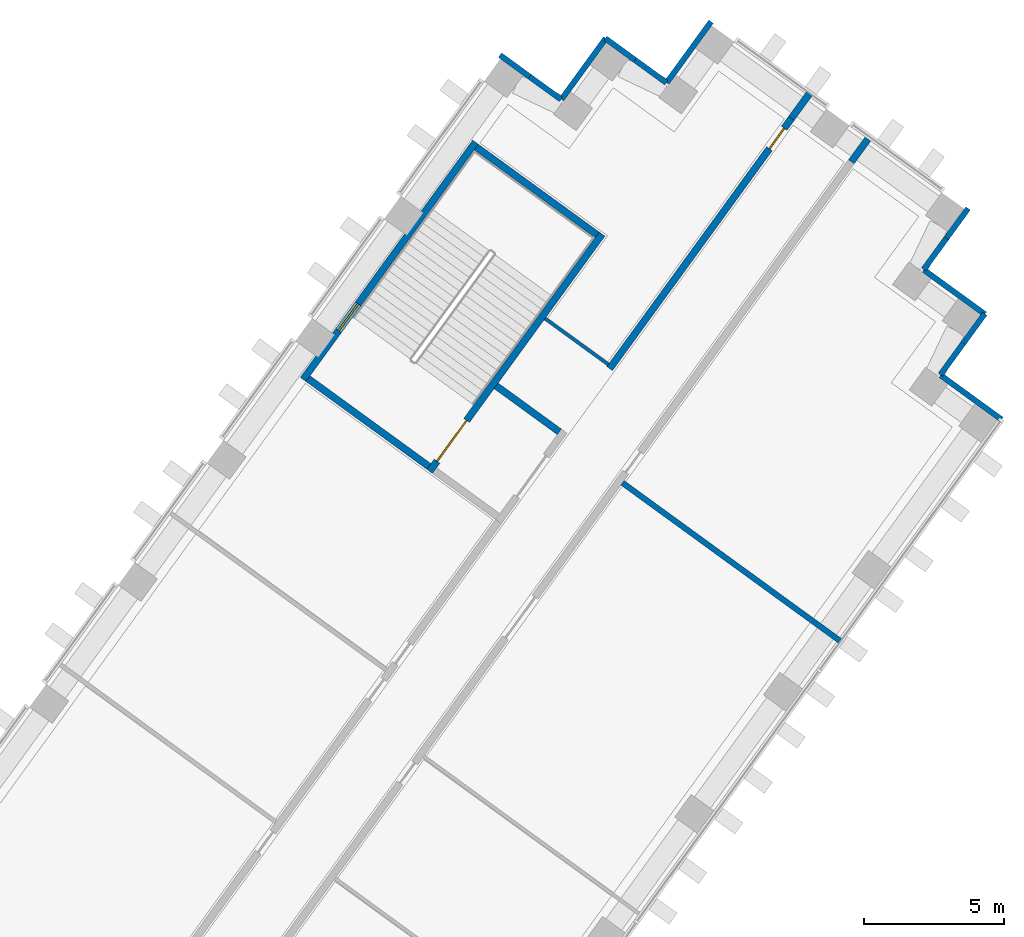
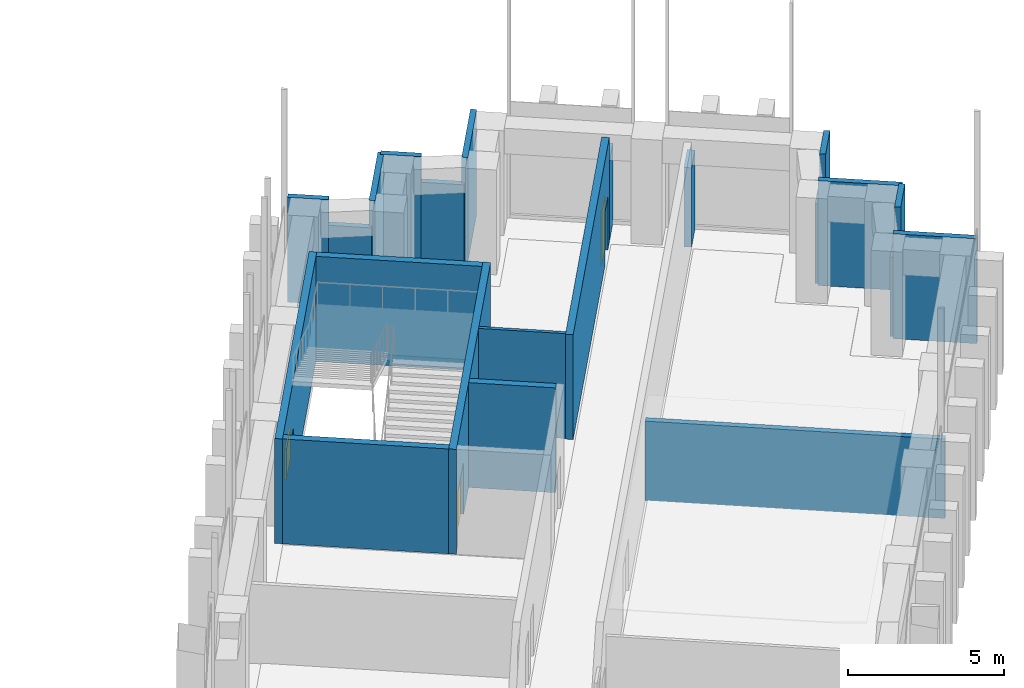
# One storey, part 14 of 18: 22 walls, 2 doors, 1 window, 3 openings.
"""IFC4 building model written with IfcOpenShell, lengths in metres."""

from ifc_helpers import new_model, si_unit, direction, frame, frame_2d, origin, place, context, subcontext, project, spatial, rectangle, extrude, material, layer, layer_set, type_object, element, fill, save


model = new_model("IFC4")

# Units and contexts
model_context = context("Model", 3, precision=1e-05, world=origin(), true_north=direction((0.0, 1.0)))
body_context = subcontext(model_context, "Body", "Model", "MODEL_VIEW")
ifc_project = project(units=[si_unit("LENGTHUNIT", "METRE"), si_unit("AREAUNIT", "SQUARE_METRE"), si_unit("VOLUMEUNIT", "CUBIC_METRE"), si_unit("PLANEANGLEUNIT", "RADIAN"), si_unit("MASSUNIT", "GRAM", prefix="KILO")], contexts=[model_context])

# Site, building, storey
site_placement = place(None, origin())
site = spatial("IfcSite", under=ifc_project, at=site_placement, CompositionType="ELEMENT")
building_placement = place(site_placement, origin())
building = spatial("IfcBuilding", under=site, at=building_placement, Name="Quipu Civic Tower", CompositionType="ELEMENT")
storey_placement = place(building_placement, frame((0.0, 0.0, 16.0)))
storey = spatial("IfcBuildingStorey", under=building, at=storey_placement, Name="L03", CompositionType="ELEMENT", Elevation=16.0)

# Walls
ifc_material_1 = material(Name="Fired clay blockwork", Category="masonry")
ifc_layer_1 = layer(ifc_material_1, 0.199951171875)
ifc_layer_set_1 = layer_set([ifc_layer_1], Name="Fired clay blockwork")
wall_type_1 = type_object("IfcWallType", Name="Blockwork wall 200", PredefinedType="SOLIDWALL", material=ifc_layer_set_1)
wall_1_placement = place(storey_placement, frame((49.47998046875, 21.689697265625, 0.0), z_axis=(0.0, 0.0, 1.0), x_axis=(-0.808999631097, 0.587809150052, 0.0)))
element("IfcWall", 1, at=wall_1_placement, inside=storey, type_object=wall_type_1, Name="Partition P06", PredefinedType="SOLIDWALL", context=body_context, shape_type="SweptSolid", body=[
    extrude(rectangle(XDim=9.6513671875, YDim=0.199951171875, at=frame_2d((4.82568359375, 0.0))), origin(), (0.0, 0.0, 1.0), 3.10009765625),
])
ifc_material_2 = material(Name="Concrete C70/85", Category="concrete")
ifc_layer_2 = layer(ifc_material_2, 0.25)
ifc_layer_set_2 = layer_set([ifc_layer_2], Name="Concrete C70/85")
wall_type_2 = type_object("IfcWallType", Name="Core wall 250", PredefinedType="SHEAR", material=ifc_layer_set_2)
wall_2_placement = place(storey_placement, frame((39.4140625, 29.18798828125, 0.0), z_axis=(0.0, 0.0, 1.0), x_axis=(-0.808969789945, 0.58785021813, 0.0)))
element("IfcWall", 2, at=wall_2_placement, inside=storey, type_object=wall_type_2, Name="Core wall", PredefinedType="SHEAR", context=body_context, shape_type="SweptSolid", body=[
    extrude(rectangle(XDim=2.800048828125, YDim=0.25, at=frame_2d((1.39990234375, 0.0))), origin(), (0.0, 0.0, 1.0), 4.10009765625),
])

# Wall, opening, door
wall_3_placement = place(storey_placement, frame((34.77001953125, 27.7724609375, 0.0), z_axis=(0.0, 0.0, 1.0), x_axis=(0.587795589702, 0.809009483706, 0.0)))
wall_3 = element("IfcWall", 3, at=wall_3_placement, inside=storey, type_object=wall_type_2, Name="Core wall", PredefinedType="SHEAR", context=body_context, shape_type="SweptSolid", body=[
    extrude(rectangle(XDim=10.5, YDim=0.25, at=frame_2d((5.25, 0.0))), origin(), (0.0, 0.0, 1.0), 4.10009765625),
])
opening_1_placement = place(wall_3_placement, frame((0.449951171875, 0.0, 0.0)))
opening_1 = element("IfcOpeningElement", 4, at=opening_1_placement, cuts=wall_3, Name="Opening CD-23", PredefinedType="OPENING", context=body_context, shape_type="SweptSolid", body=[
    extrude(rectangle(XDim=1.800048828125, YDim=2.10009765625, at=frame_2d((0.89990234375, 1.050048828125))), frame((0.0, 0.135009765625, 0.0), z_axis=(0.0, -1.0, 0.0), x_axis=(1.0, 0.0, 0.0)), (0.0, 0.0, 1.0), 0.27001953125),
])
ifc_material_3 = material(Name="Fire rated steel door", Category="steel")
door_type_1 = type_object("IfcDoorType", Name="Fire door FD90 double 1800 x 2100", OperationType="NOTDEFINED", PredefinedType="DOOR", material=ifc_material_3)
door_1_placement = place(opening_1_placement, origin())
door_1 = element("IfcDoor", 5, at=door_1_placement, inside=storey, type_object=door_type_1, Name="Door", OperationType="DOUBLE_DOOR_SINGLE_SWING", OverallHeight=2.10009765625, OverallWidth=1.800048828125, PredefinedType="DOOR", context=body_context, shape_type="SweptSolid", body=[
    extrude(rectangle(XDim=1.800048828125, YDim=2.10009765625, at=frame_2d((0.89990234375, 1.050048828125))), frame((0.0, 0.02490234375, 0.0), z_axis=(0.0, -1.0, 0.0), x_axis=(1.0, 0.0, 0.0)), (0.0, 0.0, 1.0), 0.050048828125),
])
fill(opening_1, door_1)

# Walls
wall_4_placement = place(storey_placement, frame((34.742431640625, 27.947021484375, 0.0), z_axis=(0.0, 0.0, 1.0), x_axis=(-0.8089984606, 0.587810760999, 0.0)))
element("IfcWall", 6, at=wall_4_placement, inside=storey, type_object=wall_type_2, Name="Core wall", PredefinedType="SHEAR", context=body_context, shape_type="SweptSolid", body=[
    extrude(rectangle(XDim=5.35009765625, YDim=0.25, at=frame_2d((2.675048828125, 0.0))), origin(), (0.0, 0.0, 1.0), 4.10009765625),
])
wall_5_placement = place(storey_placement, frame((40.76708984375, 36.239501953125, 0.0), z_axis=(0.0, 0.0, 1.0), x_axis=(-0.809020161303, 0.587780893365, 0.0)))
element("IfcWall", 7, at=wall_5_placement, inside=storey, type_object=wall_type_2, Name="Core wall", PredefinedType="SHEAR", context=body_context, shape_type="SweptSolid", body=[
    extrude(rectangle(XDim=5.349853515625, YDim=0.25, at=frame_2d((2.6748046875, 0.0))), origin(), (0.0, 0.0, 1.0), 4.10009765625),
])

# Wall, opening, window
wall_6_placement = place(storey_placement, frame((30.239501953125, 31.06396484375, 0.0), z_axis=(0.0, 0.0, 1.0), x_axis=(0.587795589702, 0.809009483706, 0.0)))
wall_6 = element("IfcWall", 8, at=wall_6_placement, inside=storey, type_object=wall_type_2, Name="Core wall", PredefinedType="SHEAR", context=body_context, shape_type="SweptSolid", body=[
    extrude(rectangle(XDim=10.5, YDim=0.25, at=frame_2d((5.25, 0.0))), origin(), (0.0, 0.0, 1.0), 4.10009765625),
])
opening_2_placement = place(wall_6_placement, frame((2.14990234375, 0.0, 1.0)))
opening_2 = element("IfcOpeningElement", 9, at=opening_2_placement, cuts=wall_6, Name="Opening SV-7", PredefinedType="OPENING", context=body_context, shape_type="SweptSolid", body=[
    extrude(rectangle(XDim=1.199951171875, YDim=1.199951171875, at=frame_2d((0.60009765625, 0.60009765625))), frame((0.0, 0.135009765625, 0.0), z_axis=(0.0, -1.0, 0.0), x_axis=(1.0, 0.0, 0.0)), (0.0, 0.0, 1.0), 0.27001953125),
])
ifc_material_4 = material(Name="Aluminium louvre", Category="aluminium")
window_type = type_object("IfcWindowType", Name="Stair ventilation louvre 1200 x 1200", PartitioningType="SINGLE_PANEL", PredefinedType="WINDOW", material=ifc_material_4)
window_placement = place(opening_2_placement, origin())
window = element("IfcWindow", 10, at=window_placement, inside=storey, type_object=window_type, Name="Stair ventilation opening", OverallHeight=1.199951171875, OverallWidth=1.199951171875, PartitioningType="SINGLE_PANEL", PredefinedType="WINDOW", context=body_context, shape_type="SweptSolid", body=[
    extrude(rectangle(XDim=1.199951171875, YDim=1.199951171875, at=frame_2d((0.60009765625, 0.60009765625))), frame((0.0, 0.030029296875, 0.0), z_axis=(0.0, -1.0, 0.0), x_axis=(1.0, 0.0, 0.0)), (0.0, 0.0, 1.0), 0.06005859375),
])
fill(opening_2, window)

# Wall, opening, door
ifc_material_5 = material(Name="Concrete C50/60", Category="concrete")
ifc_layer_3 = layer(ifc_material_5, 0.25)
ifc_layer_set_3 = layer_set([ifc_layer_3], Name="Concrete C50/60")
wall_type_3 = type_object("IfcWallType", Name="Corridor wall 250 concrete", PredefinedType="SOLIDWALL", material=ifc_layer_set_3)
wall_7_placement = place(storey_placement, frame((41.213134765625, 31.451416015625, 0.0), z_axis=(0.0, 0.0, 1.0), x_axis=(0.587773291021, 0.809025684612, 0.0)))
wall_7 = element("IfcWall", 11, at=wall_7_placement, inside=storey, type_object=wall_type_3, Name="Corridor wall C07", PredefinedType="SOLIDWALL", context=body_context, shape_type="SweptSolid", body=[
    extrude(rectangle(XDim=11.07861328125, YDim=0.25, at=frame_2d((5.539306640625, 0.0))), origin(), (0.0, 0.0, 1.0), 4.10009765625),
])
opening_3_placement = place(wall_7_placement, frame((9.736083984375, 0.0, 0.0)))
opening_3 = element("IfcOpeningElement", 12, at=opening_3_placement, cuts=wall_7, Name="Opening D004", PredefinedType="OPENING", context=body_context, shape_type="SweptSolid", body=[
    extrude(rectangle(XDim=0.89990234375, YDim=2.10009765625, at=frame_2d((0.449951171875, 1.050048828125))), frame((0.0, 0.135009765625, 0.0), z_axis=(0.0, -1.0, 0.0), x_axis=(1.0, 0.0, 0.0)), (0.0, 0.0, 1.0), 0.27001953125),
])
ifc_material_6 = material(Name="Fire rated timber door set with metal frame", Category="wood")
door_type_2 = type_object("IfcDoorType", Name="Single door 900 x 2100 FD60", OperationType="NOTDEFINED", PredefinedType="DOOR", material=ifc_material_6)
door_2_placement = place(opening_3_placement, origin())
door_2 = element("IfcDoor", 13, at=door_2_placement, inside=storey, type_object=door_type_2, Name="Door D004", OperationType="SINGLE_SWING_RIGHT", OverallHeight=2.10009765625, OverallWidth=0.89990234375, PredefinedType="DOOR", context=body_context, shape_type="SweptSolid", body=[
    extrude(rectangle(XDim=0.89990234375, YDim=2.10009765625, at=frame_2d((0.449951171875, 1.050048828125))), frame((0.0, 0.02490234375, 0.0), z_axis=(0.0, -1.0, 0.0), x_axis=(1.0, 0.0, 0.0)), (0.0, 0.0, 1.0), 0.050048828125),
])
fill(opening_3, door_2)

# Walls
wall_8_placement = place(storey_placement, frame((49.86865234375, 38.8564453125, 0.0), z_axis=(0.0, 0.0, 1.0), x_axis=(0.587725246084, 0.809060588037, 0.0)))
element("IfcWall", 14, at=wall_8_placement, inside=storey, type_object=wall_type_3, Name="Corridor wall C01", PredefinedType="SOLIDWALL", context=body_context, shape_type="SweptSolid", body=[
    extrude(rectangle(XDim=1.008056640625, YDim=0.25, at=frame_2d((0.50390625, 0.0))), origin(), (0.0, 0.0, 1.0), 3.10009765625),
])
wall_9_placement = place(storey_placement, frame((47.724853515625, 40.414306640625, 0.0), z_axis=(0.0, 0.0, 1.0), x_axis=(0.587883639643, 0.808945502639, 0.0)))
element("IfcWall", 15, at=wall_9_placement, inside=storey, type_object=wall_type_3, Name="Corridor wall C07", PredefinedType="SOLIDWALL", context=body_context, shape_type="SweptSolid", body=[
    extrude(rectangle(XDim=1.10888671875, YDim=0.25, at=frame_2d((0.554443359375, 0.0))), origin(), (0.0, 0.0, 1.0), 3.10009765625),
])
ifc_material_7 = material(Name="Gypsum plasterboard on light gauge framing")
ifc_layer_4 = layer(ifc_material_7, 0.1201171875)
ifc_layer_set_4 = layer_set([ifc_layer_4], Name="Gypsum plasterboard on light gauge framing")
wall_type_4 = type_object("IfcWallType", Name="Partition 120 plasterboard", PredefinedType="PARTITIONING", material=ifc_layer_set_4)
wall_10_placement = place(storey_placement, frame((38.89990234375, 33.2451171875, 0.0), z_axis=(0.0, 0.0, 1.0), x_axis=(0.809090262332, -0.587684394381, 0.0)))
element("IfcWall", 16, at=wall_10_placement, inside=storey, type_object=wall_type_4, Name="Partition P11", PredefinedType="PARTITIONING", context=body_context, shape_type="SweptSolid", body=[
    extrude(rectangle(XDim=2.80078125, YDim=0.1201171875, at=frame_2d((1.400390625, 0.0))), origin(), (0.0, 0.0, 1.0), 4.10009765625),
])
ifc_material_8 = material(Name="Precast concrete C40/50", Category="concrete")
wall_type_5 = type_object("IfcWallType", Name="Precast cladding wall", PredefinedType="SOLIDWALL", material=ifc_material_8)
wall_11_placement = place(storey_placement, frame((55.2470703125, 29.62890625, 0.0), z_axis=(0.0, 0.0, 1.0), x_axis=(-0.809033161865, 0.587762999008, 0.0)))
element("IfcWall", 17, at=wall_11_placement, inside=storey, type_object=wall_type_5, Name="Precast cladding wall L03 P34", PredefinedType="SOLIDWALL", context=body_context, shape_type="SweptSolid", body=[
    extrude(rectangle(XDim=2.699951171875, YDim=0.199951171875, at=frame_2d((1.35009765625, 0.0))), origin(), (0.0, 0.0, 1.0), 4.10009765625),
])
wall_12_placement = place(storey_placement, frame((53.06005859375, 31.232666015625, 0.0), z_axis=(0.0, 0.0, 1.0), x_axis=(0.587776137069, 0.809023616894, 0.0)))
element("IfcWall", 18, at=wall_12_placement, inside=storey, type_object=wall_type_5, Name="Precast cladding wall L03 P35", PredefinedType="SOLIDWALL", context=body_context, shape_type="SweptSolid", body=[
    extrude(rectangle(XDim=1.394775390625, YDim=0.199951171875, at=frame_2d((0.697265625, 0.0))), origin(), (0.0, 0.0, 1.0), 3.10009765625),
])
wall_13_placement = place(storey_placement, frame((53.8798828125, 32.361083984375, 0.0), z_axis=(0.0, 0.0, 1.0), x_axis=(0.587871379726, 0.808954412127, 0.0)))
element("IfcWall", 19, at=wall_13_placement, inside=storey, type_object=wall_type_5, Name="Precast cladding wall L03 P35 a", PredefinedType="SOLIDWALL", context=body_context, shape_type="SweptSolid", body=[
    extrude(rectangle(XDim=1.30517578125, YDim=0.199951171875, at=frame_2d((0.652587890625, 0.0))), origin(), (0.0, 0.0, 1.0), 4.10009765625),
])
wall_14_placement = place(storey_placement, frame((54.649658203125, 33.400390625, 0.0), z_axis=(0.0, 0.0, 1.0), x_axis=(-0.809033161865, 0.587762999008, 0.0)))
element("IfcWall", 20, at=wall_14_placement, inside=storey, type_object=wall_type_5, Name="Precast cladding wall L03 P36", PredefinedType="SOLIDWALL", context=body_context, shape_type="SweptSolid", body=[
    extrude(rectangle(XDim=2.699951171875, YDim=0.199951171875, at=frame_2d((1.35009765625, 0.0))), origin(), (0.0, 0.0, 1.0), 4.10009765625),
])
wall_15_placement = place(storey_placement, frame((52.462646484375, 35.004150390625, 0.0), z_axis=(0.0, 0.0, 1.0), x_axis=(0.587782252522, 0.809019173827, 0.0)))
element("IfcWall", 21, at=wall_15_placement, inside=storey, type_object=wall_type_5, Name="Precast cladding wall L03 P37", PredefinedType="SOLIDWALL", context=body_context, shape_type="SweptSolid", body=[
    extrude(rectangle(XDim=1.37939453125, YDim=0.199951171875, at=frame_2d((0.689697265625, 0.0))), origin(), (0.0, 0.0, 1.0), 3.10009765625),
])
wall_16_placement = place(storey_placement, frame((53.2734375, 36.1201171875, 0.0), z_axis=(0.0, 0.0, 1.0), x_axis=(0.58786388341, 0.808959859686, 0.0)))
element("IfcWall", 22, at=wall_16_placement, inside=storey, type_object=wall_type_5, Name="Precast cladding wall L03 P37 a", PredefinedType="SOLIDWALL", context=body_context, shape_type="SweptSolid", body=[
    extrude(rectangle(XDim=1.320556640625, YDim=0.199951171875, at=frame_2d((0.66015625, 0.0))), origin(), (0.0, 0.0, 1.0), 4.10009765625),
])
wall_17_placement = place(storey_placement, frame((44.846435546875, 43.875, 0.0), z_axis=(0.0, 0.0, 1.0), x_axis=(-0.587822180636, -0.808990163075, 0.0)))
element("IfcWall", 23, at=wall_17_placement, inside=storey, type_object=wall_type_5, Name="Precast cladding wall L03 P40", PredefinedType="SOLIDWALL", context=body_context, shape_type="SweptSolid", body=[
    extrude(rectangle(XDim=2.699951171875, YDim=0.199951171875, at=frame_2d((1.35009765625, 0.0))), origin(), (0.0, 0.0, 1.0), 4.10009765625),
])
wall_18_placement = place(storey_placement, frame((43.242431640625, 41.68798828125, 0.0), z_axis=(0.0, 0.0, 1.0), x_axis=(-0.808926734208, 0.5879094647, 0.0)))
element("IfcWall", 24, at=wall_18_placement, inside=storey, type_object=wall_type_5, Name="Precast cladding wall L03 P41", PredefinedType="SOLIDWALL", context=body_context, shape_type="SweptSolid", body=[
    extrude(rectangle(XDim=1.384033203125, YDim=0.199951171875, at=frame_2d((0.69189453125, 0.0))), origin(), (0.0, 0.0, 1.0), 3.10009765625),
])
wall_19_placement = place(storey_placement, frame((42.122802734375, 42.501708984375, 0.0), z_axis=(0.0, 0.0, 1.0), x_axis=(-0.809056865039, 0.587730371117, 0.0)))
element("IfcWall", 25, at=wall_19_placement, inside=storey, type_object=wall_type_5, Name="Precast cladding wall L03 P41 a", PredefinedType="SOLIDWALL", context=body_context, shape_type="SweptSolid", body=[
    extrude(rectangle(XDim=1.31591796875, YDim=0.199951171875, at=frame_2d((0.657958984375, 0.0))), origin(), (0.0, 0.0, 1.0), 4.10009765625),
])
wall_20_placement = place(storey_placement, frame((41.074951171875, 43.277587890625, 0.0), z_axis=(0.0, 0.0, 1.0), x_axis=(-0.587806000234, -0.809001919707, 0.0)))
element("IfcWall", 26, at=wall_20_placement, inside=storey, type_object=wall_type_5, Name="Precast cladding wall L03 P42", PredefinedType="SOLIDWALL", context=body_context, shape_type="SweptSolid", body=[
    extrude(rectangle(XDim=2.69970703125, YDim=0.199951171875, at=frame_2d((1.349853515625, 0.0))), origin(), (0.0, 0.0, 1.0), 4.10009765625),
])
wall_21_placement = place(storey_placement, frame((39.47119140625, 41.0908203125, 0.0), z_axis=(0.0, 0.0, 1.0), x_axis=(-0.809002762913, 0.58780483972, 0.0)))
element("IfcWall", 27, at=wall_21_placement, inside=storey, type_object=wall_type_5, Name="Precast cladding wall L03 P43", PredefinedType="SOLIDWALL", context=body_context, shape_type="SweptSolid", body=[
    extrude(rectangle(XDim=1.38525390625, YDim=0.199951171875, at=frame_2d((0.692626953125, 0.0))), origin(), (0.0, 0.0, 1.0), 3.10009765625),
])
wall_22_placement = place(storey_placement, frame((38.3505859375, 41.905029296875, 0.0), z_axis=(0.0, 0.0, 1.0), x_axis=(-0.809065186597, 0.587718915671, 0.0)))
element("IfcWall", 28, at=wall_22_placement, inside=storey, type_object=wall_type_5, Name="Precast cladding wall L03 P43 a", PredefinedType="SOLIDWALL", context=body_context, shape_type="SweptSolid", body=[
    extrude(rectangle(XDim=1.314697265625, YDim=0.199951171875, at=frame_2d((0.6572265625, 0.0))), origin(), (0.0, 0.0, 1.0), 4.10009765625),
])

save(model, "model.ifc")
